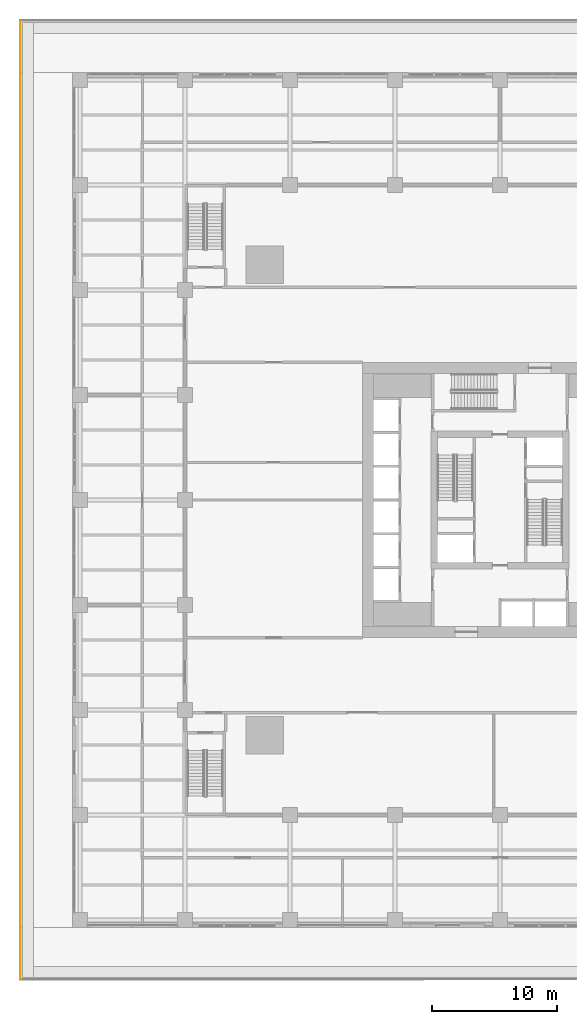
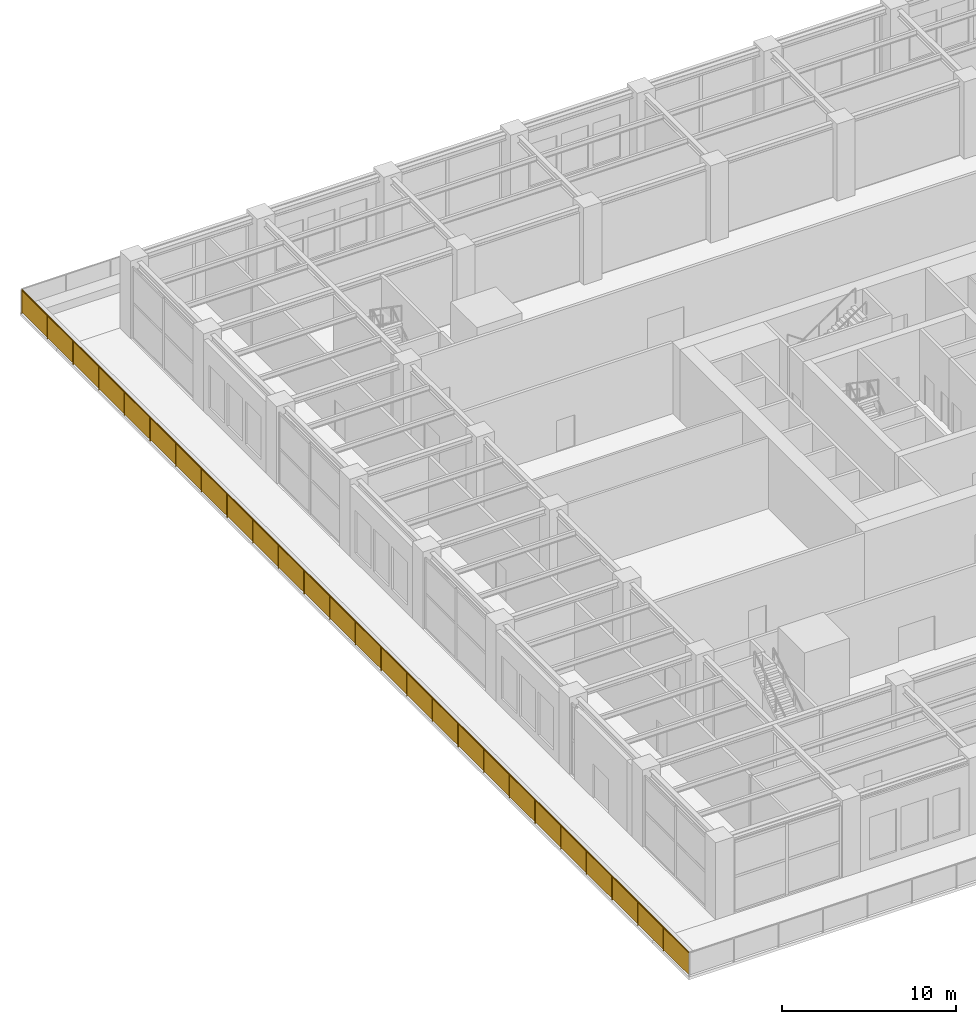
# One storey, part 32 of 36: 1 railing.
"""IFC4 building model written with IfcOpenShell, lengths in metres."""

from ifc_helpers import new_model, si_unit, direction, frame, origin, origin_2d, place, context, subcontext, project, spatial, rectangle, extrude, material, type_object, element, save


model = new_model("IFC4")

# Units and contexts
model_context = context("Model", 3, precision=1e-05, world=origin(), true_north=direction((0.0, 1.0)))
body_context = subcontext(model_context, "Body", "Model", "MODEL_VIEW")
ifc_project = project(units=[si_unit("LENGTHUNIT", "METRE"), si_unit("AREAUNIT", "SQUARE_METRE"), si_unit("VOLUMEUNIT", "CUBIC_METRE"), si_unit("PLANEANGLEUNIT", "RADIAN"), si_unit("MASSUNIT", "GRAM", prefix="KILO")], contexts=[model_context])

# Site, building, storey
site_placement = place(None, origin())
site = spatial("IfcSite", under=ifc_project, at=site_placement, CompositionType="ELEMENT")
building_placement = place(site_placement, origin())
building = spatial("IfcBuilding", under=site, at=building_placement, Name="Khepri Terraces", CompositionType="ELEMENT")
storey_placement = place(building_placement, frame((0.0, 0.0, 16.800048828125)))
storey = spatial("IfcBuildingStorey", under=building, at=storey_placement, Name="L03", CompositionType="ELEMENT", Elevation=16.800048828125)

# Railing
ifc_material = material(Name="Stainless steel grade 316", Category="steel")
railing_type = type_object("IfcRailingType", Name="GRD-TERR-1700", PredefinedType="GUARDRAIL", material=ifc_material)
railing_placement = place(storey_placement, frame((-38.35009765625, -38.35009765625, 0.0)))
element("IfcRailing", 1, at=railing_placement, inside=storey, type_object=railing_type, Name="Terrace guard L03", PredefinedType="GUARDRAIL", context=body_context, shape_type="SweptSolid", body=[
    extrude(rectangle(XDim=0.050048828125, YDim=0.06005859375, at=origin_2d()), frame((0.0, 0.0, 1.669921875), z_axis=(0.0, 1.0, 0.0), x_axis=(-1.0, 0.0, 0.0)), (0.0, 0.0, 1.0), 76.6201171875),
    extrude(rectangle(XDim=2.89697265625, YDim=0.011962890625, at=origin_2d()), frame((0.0, 1.473388671875, 0.10009765625), z_axis=(0.0, 0.0, 1.0), x_axis=(0.0, 1.0, 0.0)), (0.0, 0.0, 1.0), 1.539794921875),
    extrude(rectangle(XDim=2.89697265625, YDim=0.011962890625, at=origin_2d()), frame((0.0, 4.42041015625, 0.10009765625), z_axis=(0.0, 0.0, 1.0), x_axis=(0.0, 1.0, 0.0)), (0.0, 0.0, 1.0), 1.539794921875),
    extrude(rectangle(XDim=2.89697265625, YDim=0.011962890625, at=origin_2d()), frame((0.0, 7.367431640625, 0.10009765625), z_axis=(0.0, 0.0, 1.0), x_axis=(0.0, 1.0, 0.0)), (0.0, 0.0, 1.0), 1.539794921875),
    extrude(rectangle(XDim=2.89697265625, YDim=0.011962890625, at=origin_2d()), frame((0.0, 10.314208984375, 0.10009765625), z_axis=(0.0, 0.0, 1.0), x_axis=(0.0, 1.0, 0.0)), (0.0, 0.0, 1.0), 1.539794921875),
    extrude(rectangle(XDim=2.89697265625, YDim=0.011962890625, at=origin_2d()), frame((0.0, 13.26123046875, 0.10009765625), z_axis=(0.0, 0.0, 1.0), x_axis=(0.0, 1.0, 0.0)), (0.0, 0.0, 1.0), 1.539794921875),
    extrude(rectangle(XDim=2.89697265625, YDim=0.011962890625, at=origin_2d()), frame((0.0, 16.2080078125, 0.10009765625), z_axis=(0.0, 0.0, 1.0), x_axis=(0.0, 1.0, 0.0)), (0.0, 0.0, 1.0), 1.539794921875),
    extrude(rectangle(XDim=2.89697265625, YDim=0.011962890625, at=origin_2d()), frame((0.0, 19.155029296875, 0.10009765625), z_axis=(0.0, 0.0, 1.0), x_axis=(0.0, 1.0, 0.0)), (0.0, 0.0, 1.0), 1.539794921875),
    extrude(rectangle(XDim=2.89697265625, YDim=0.011962890625, at=origin_2d()), frame((0.0, 22.10205078125, 0.10009765625), z_axis=(0.0, 0.0, 1.0), x_axis=(0.0, 1.0, 0.0)), (0.0, 0.0, 1.0), 1.539794921875),
    extrude(rectangle(XDim=2.89697265625, YDim=0.011962890625, at=origin_2d()), frame((0.0, 25.048828125, 0.10009765625), z_axis=(0.0, 0.0, 1.0), x_axis=(0.0, 1.0, 0.0)), (0.0, 0.0, 1.0), 1.539794921875),
    extrude(rectangle(XDim=2.89697265625, YDim=0.011962890625, at=origin_2d()), frame((0.0, 27.995849609375, 0.10009765625), z_axis=(0.0, 0.0, 1.0), x_axis=(0.0, 1.0, 0.0)), (0.0, 0.0, 1.0), 1.539794921875),
    extrude(rectangle(XDim=2.89697265625, YDim=0.011962890625, at=origin_2d()), frame((0.0, 30.942626953125, 0.10009765625), z_axis=(0.0, 0.0, 1.0), x_axis=(0.0, 1.0, 0.0)), (0.0, 0.0, 1.0), 1.539794921875),
    extrude(rectangle(XDim=2.89697265625, YDim=0.011962890625, at=origin_2d()), frame((0.0, 33.8896484375, 0.10009765625), z_axis=(0.0, 0.0, 1.0), x_axis=(0.0, 1.0, 0.0)), (0.0, 0.0, 1.0), 1.539794921875),
    extrude(rectangle(XDim=2.89697265625, YDim=0.011962890625, at=origin_2d()), frame((0.0, 36.836669921875, 0.10009765625), z_axis=(0.0, 0.0, 1.0), x_axis=(0.0, 1.0, 0.0)), (0.0, 0.0, 1.0), 1.539794921875),
    extrude(rectangle(XDim=2.89697265625, YDim=0.011962890625, at=origin_2d()), frame((0.0, 39.783447265625, 0.10009765625), z_axis=(0.0, 0.0, 1.0), x_axis=(0.0, 1.0, 0.0)), (0.0, 0.0, 1.0), 1.539794921875),
    extrude(rectangle(XDim=2.89697265625, YDim=0.011962890625, at=origin_2d()), frame((0.0, 42.73046875, 0.10009765625), z_axis=(0.0, 0.0, 1.0), x_axis=(0.0, 1.0, 0.0)), (0.0, 0.0, 1.0), 1.539794921875),
    extrude(rectangle(XDim=2.89697265625, YDim=0.011962890625, at=origin_2d()), frame((0.0, 45.677490234375, 0.10009765625), z_axis=(0.0, 0.0, 1.0), x_axis=(0.0, 1.0, 0.0)), (0.0, 0.0, 1.0), 1.539794921875),
    extrude(rectangle(XDim=2.89697265625, YDim=0.011962890625, at=origin_2d()), frame((0.0, 48.624267578125, 0.10009765625), z_axis=(0.0, 0.0, 1.0), x_axis=(0.0, 1.0, 0.0)), (0.0, 0.0, 1.0), 1.539794921875),
    extrude(rectangle(XDim=2.89697265625, YDim=0.011962890625, at=origin_2d()), frame((0.0, 51.5712890625, 0.10009765625), z_axis=(0.0, 0.0, 1.0), x_axis=(0.0, 1.0, 0.0)), (0.0, 0.0, 1.0), 1.539794921875),
    extrude(rectangle(XDim=2.89697265625, YDim=0.011962890625, at=origin_2d()), frame((0.0, 54.51806640625, 0.10009765625), z_axis=(0.0, 0.0, 1.0), x_axis=(0.0, 1.0, 0.0)), (0.0, 0.0, 1.0), 1.539794921875),
    extrude(rectangle(XDim=2.89697265625, YDim=0.011962890625, at=origin_2d()), frame((0.0, 57.465087890625, 0.10009765625), z_axis=(0.0, 0.0, 1.0), x_axis=(0.0, 1.0, 0.0)), (0.0, 0.0, 1.0), 1.539794921875),
    extrude(rectangle(XDim=2.89697265625, YDim=0.011962890625, at=origin_2d()), frame((0.0, 60.412109375, 0.10009765625), z_axis=(0.0, 0.0, 1.0), x_axis=(0.0, 1.0, 0.0)), (0.0, 0.0, 1.0), 1.539794921875),
    extrude(rectangle(XDim=2.89697265625, YDim=0.011962890625, at=origin_2d()), frame((0.0, 63.35888671875, 0.10009765625), z_axis=(0.0, 0.0, 1.0), x_axis=(0.0, 1.0, 0.0)), (0.0, 0.0, 1.0), 1.539794921875),
    extrude(rectangle(XDim=2.89697265625, YDim=0.011962890625, at=origin_2d()), frame((0.0, 66.305908203125, 0.10009765625), z_axis=(0.0, 0.0, 1.0), x_axis=(0.0, 1.0, 0.0)), (0.0, 0.0, 1.0), 1.539794921875),
    extrude(rectangle(XDim=2.89697265625, YDim=0.011962890625, at=origin_2d()), frame((0.0, 69.252685546875, 0.10009765625), z_axis=(0.0, 0.0, 1.0), x_axis=(0.0, 1.0, 0.0)), (0.0, 0.0, 1.0), 1.539794921875),
    extrude(rectangle(XDim=2.89697265625, YDim=0.011962890625, at=origin_2d()), frame((0.0, 72.19970703125, 0.10009765625), z_axis=(0.0, 0.0, 1.0), x_axis=(0.0, 1.0, 0.0)), (0.0, 0.0, 1.0), 1.539794921875),
    extrude(rectangle(XDim=2.89697265625, YDim=0.011962890625, at=origin_2d()), frame((0.0, 75.146728515625, 0.10009765625), z_axis=(0.0, 0.0, 1.0), x_axis=(0.0, 1.0, 0.0)), (0.0, 0.0, 1.0), 1.539794921875),
    extrude(rectangle(XDim=0.050048828125, YDim=0.050048828125, at=origin_2d()), frame((0.0, 2.947021484375, 0.0)), (0.0, 0.0, 1.0), 1.639892578125),
    extrude(rectangle(XDim=0.050048828125, YDim=0.050048828125, at=origin_2d()), frame((0.0, 5.893798828125, 0.0)), (0.0, 0.0, 1.0), 1.639892578125),
    extrude(rectangle(XDim=0.050048828125, YDim=0.050048828125, at=origin_2d()), frame((0.0, 8.8408203125, 0.0)), (0.0, 0.0, 1.0), 1.639892578125),
    extrude(rectangle(XDim=0.050048828125, YDim=0.050048828125, at=origin_2d()), frame((0.0, 11.78759765625, 0.0)), (0.0, 0.0, 1.0), 1.639892578125),
    extrude(rectangle(XDim=0.050048828125, YDim=0.050048828125, at=origin_2d()), frame((0.0, 14.734619140625, 0.0)), (0.0, 0.0, 1.0), 1.639892578125),
    extrude(rectangle(XDim=0.050048828125, YDim=0.050048828125, at=origin_2d()), frame((0.0, 17.681640625, 0.0)), (0.0, 0.0, 1.0), 1.639892578125),
    extrude(rectangle(XDim=0.050048828125, YDim=0.050048828125, at=origin_2d()), frame((0.0, 20.62841796875, 0.0)), (0.0, 0.0, 1.0), 1.639892578125),
    extrude(rectangle(XDim=0.050048828125, YDim=0.050048828125, at=origin_2d()), frame((0.0, 23.575439453125, 0.0)), (0.0, 0.0, 1.0), 1.639892578125),
    extrude(rectangle(XDim=0.050048828125, YDim=0.050048828125, at=origin_2d()), frame((0.0, 26.5224609375, 0.0)), (0.0, 0.0, 1.0), 1.639892578125),
    extrude(rectangle(XDim=0.050048828125, YDim=0.050048828125, at=origin_2d()), frame((0.0, 29.46923828125, 0.0)), (0.0, 0.0, 1.0), 1.639892578125),
    extrude(rectangle(XDim=0.050048828125, YDim=0.050048828125, at=origin_2d()), frame((0.0, 32.416259765625, 0.0)), (0.0, 0.0, 1.0), 1.639892578125),
    extrude(rectangle(XDim=0.050048828125, YDim=0.050048828125, at=origin_2d()), frame((0.0, 35.363037109375, 0.0)), (0.0, 0.0, 1.0), 1.639892578125),
    extrude(rectangle(XDim=0.050048828125, YDim=0.050048828125, at=origin_2d()), frame((0.0, 38.31005859375, 0.0)), (0.0, 0.0, 1.0), 1.639892578125),
    extrude(rectangle(XDim=0.050048828125, YDim=0.050048828125, at=origin_2d()), frame((0.0, 41.257080078125, 0.0)), (0.0, 0.0, 1.0), 1.639892578125),
    extrude(rectangle(XDim=0.050048828125, YDim=0.050048828125, at=origin_2d()), frame((0.0, 44.203857421875, 0.0)), (0.0, 0.0, 1.0), 1.639892578125),
    extrude(rectangle(XDim=0.050048828125, YDim=0.050048828125, at=origin_2d()), frame((0.0, 47.15087890625, 0.0)), (0.0, 0.0, 1.0), 1.639892578125),
    extrude(rectangle(XDim=0.050048828125, YDim=0.050048828125, at=origin_2d()), frame((0.0, 50.09765625, 0.0)), (0.0, 0.0, 1.0), 1.639892578125),
    extrude(rectangle(XDim=0.050048828125, YDim=0.050048828125, at=origin_2d()), frame((0.0, 53.044677734375, 0.0)), (0.0, 0.0, 1.0), 1.639892578125),
    extrude(rectangle(XDim=0.050048828125, YDim=0.050048828125, at=origin_2d()), frame((0.0, 55.99169921875, 0.0)), (0.0, 0.0, 1.0), 1.639892578125),
    extrude(rectangle(XDim=0.050048828125, YDim=0.050048828125, at=origin_2d()), frame((0.0, 58.9384765625, 0.0)), (0.0, 0.0, 1.0), 1.639892578125),
    extrude(rectangle(XDim=0.050048828125, YDim=0.050048828125, at=origin_2d()), frame((0.0, 61.885498046875, 0.0)), (0.0, 0.0, 1.0), 1.639892578125),
    extrude(rectangle(XDim=0.050048828125, YDim=0.050048828125, at=origin_2d()), frame((0.0, 64.83251953125, 0.0)), (0.0, 0.0, 1.0), 1.639892578125),
    extrude(rectangle(XDim=0.050048828125, YDim=0.050048828125, at=origin_2d()), frame((0.0, 67.779296875, 0.0)), (0.0, 0.0, 1.0), 1.639892578125),
    extrude(rectangle(XDim=0.050048828125, YDim=0.050048828125, at=origin_2d()), frame((0.0, 70.726318359375, 0.0)), (0.0, 0.0, 1.0), 1.639892578125),
    extrude(rectangle(XDim=0.050048828125, YDim=0.050048828125, at=origin_2d()), frame((0.0, 73.673095703125, 0.0)), (0.0, 0.0, 1.0), 1.639892578125),
    extrude(rectangle(XDim=0.050048828125, YDim=0.050048828125, at=origin_2d()), frame((0.0, 76.6201171875, 0.0)), (0.0, 0.0, 1.0), 1.639892578125),
])

save(model, "model.ifc")
